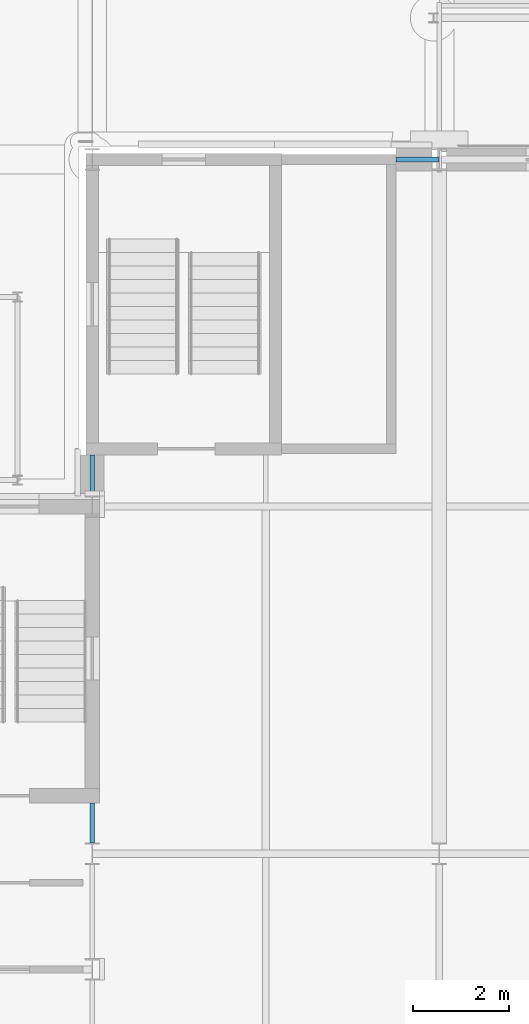
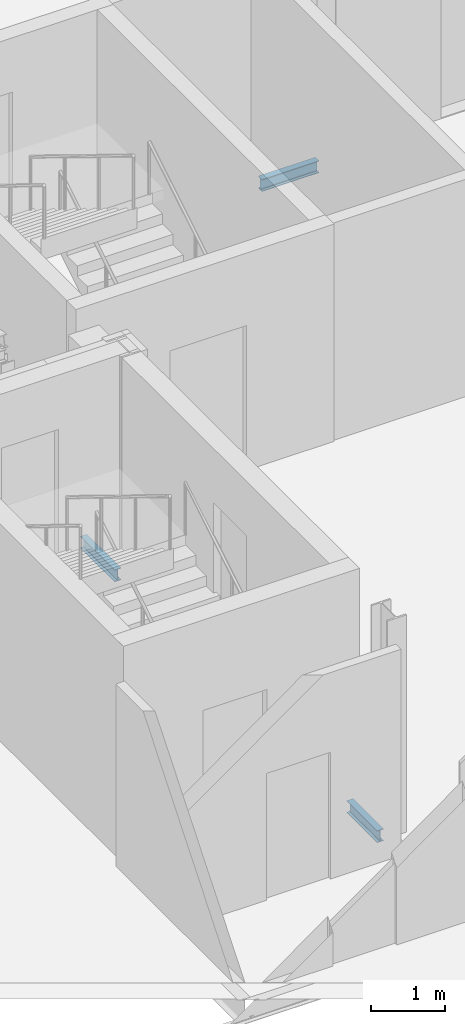
# One storey, part 62 of 143: 3 beams.
"""IFC4 building model written with IfcOpenShell, lengths in metres."""

from ifc_helpers import new_model, si_unit, direction, frame, origin, origin_2d, place, context, subcontext, project, spatial, i_section, extrude, material, material_profile, profile_set, type_object, element, save


model = new_model("IFC4")

# Units and contexts
model_context = context("Model", 3, precision=1e-05, world=origin(), true_north=direction((0.0, 1.0)))
body_context = subcontext(model_context, "Body", "Model", "MODEL_VIEW")
ifc_project = project(units=[si_unit("LENGTHUNIT", "METRE"), si_unit("AREAUNIT", "SQUARE_METRE"), si_unit("VOLUMEUNIT", "CUBIC_METRE"), si_unit("PLANEANGLEUNIT", "RADIAN"), si_unit("MASSUNIT", "GRAM", prefix="KILO")], contexts=[model_context])

# Site, building, storey
site_placement = place(None, origin())
site = spatial("IfcSite", under=ifc_project, at=site_placement, CompositionType="ELEMENT")
building_placement = place(site_placement, origin())
building = spatial("IfcBuilding", under=site, at=building_placement, Name="Kupolbacken Congress Centre", CompositionType="ELEMENT")
storey_placement = place(building_placement, frame((0.0, 0.0, 7.199951171875)))
storey = spatial("IfcBuildingStorey", under=building, at=storey_placement, Name="L02", CompositionType="ELEMENT", Elevation=7.199951171875)

# Beams
ifc_material = material(Name="Steel S355", Category="steel")
ifc_material_profile = material_profile(ifc_material, i_section(OverallWidth=0.10009765625, OverallDepth=0.199951171875, WebThickness=0.005615234375, FlangeThickness=0.008544921875, FilletRadius=0.011962890625, at=origin_2d()), Name="IPE 200")
ifc_profile_set = profile_set([ifc_material_profile], Name="Steel S355")
beam_type = type_object("IfcBeamType", Name="B01 beam IPE 200", PredefinedType="BEAM", material=ifc_profile_set)
beam_1_placement = place(storey_placement, frame((136.800048828125, 137.02490234375, -0.280029296875), z_axis=(0.0, 1.0, 0.0), x_axis=(-1.0, 0.0, 0.0)))
element("IfcBeam", 1, at=beam_1_placement, inside=storey, type_object=beam_type, Name="S/floor/T/L02/S079", PredefinedType="BEAM", context=body_context, shape_type="SweptSolid", body=[
    extrude(i_section(OverallWidth=0.10009765625, OverallDepth=0.199951171875, WebThickness=0.005615234375, FlangeThickness=0.008544921875, FilletRadius=0.011962890625, at=origin_2d()), origin(), (0.0, 0.0, 1.0), 0.8251953125),
])
beam_2_placement = place(storey_placement, frame((136.800048828125, 144.14990234375, -0.280029296875), z_axis=(0.0, 1.0, 0.0), x_axis=(-1.0, 0.0, 0.0)))
element("IfcBeam", 2, at=beam_2_placement, inside=storey, type_object=beam_type, Name="S/floor/BF/L02/G001", PredefinedType="BEAM", context=body_context, shape_type="SweptSolid", body=[
    extrude(i_section(OverallWidth=0.10009765625, OverallDepth=0.199951171875, WebThickness=0.005615234375, FlangeThickness=0.008544921875, FilletRadius=0.011962890625, at=origin_2d()), origin(), (0.0, 0.0, 1.0), 0.925048828125),
])
beam_3_placement = place(storey_placement, frame((143.10009765625, 151.199951171875, -0.280029296875), z_axis=(1.0, 0.0, 0.0), x_axis=(0.0, 1.0, 0.0)))
element("IfcBeam", 3, at=beam_3_placement, inside=storey, type_object=beam_type, Name="S/floor/BF/L02/R014", PredefinedType="BEAM", context=body_context, shape_type="SweptSolid", body=[
    extrude(i_section(OverallWidth=0.10009765625, OverallDepth=0.199951171875, WebThickness=0.005615234375, FlangeThickness=0.008544921875, FilletRadius=0.011962890625, at=origin_2d()), origin(), (0.0, 0.0, 1.0), 0.892822265625),
])

save(model, "model.ifc")
